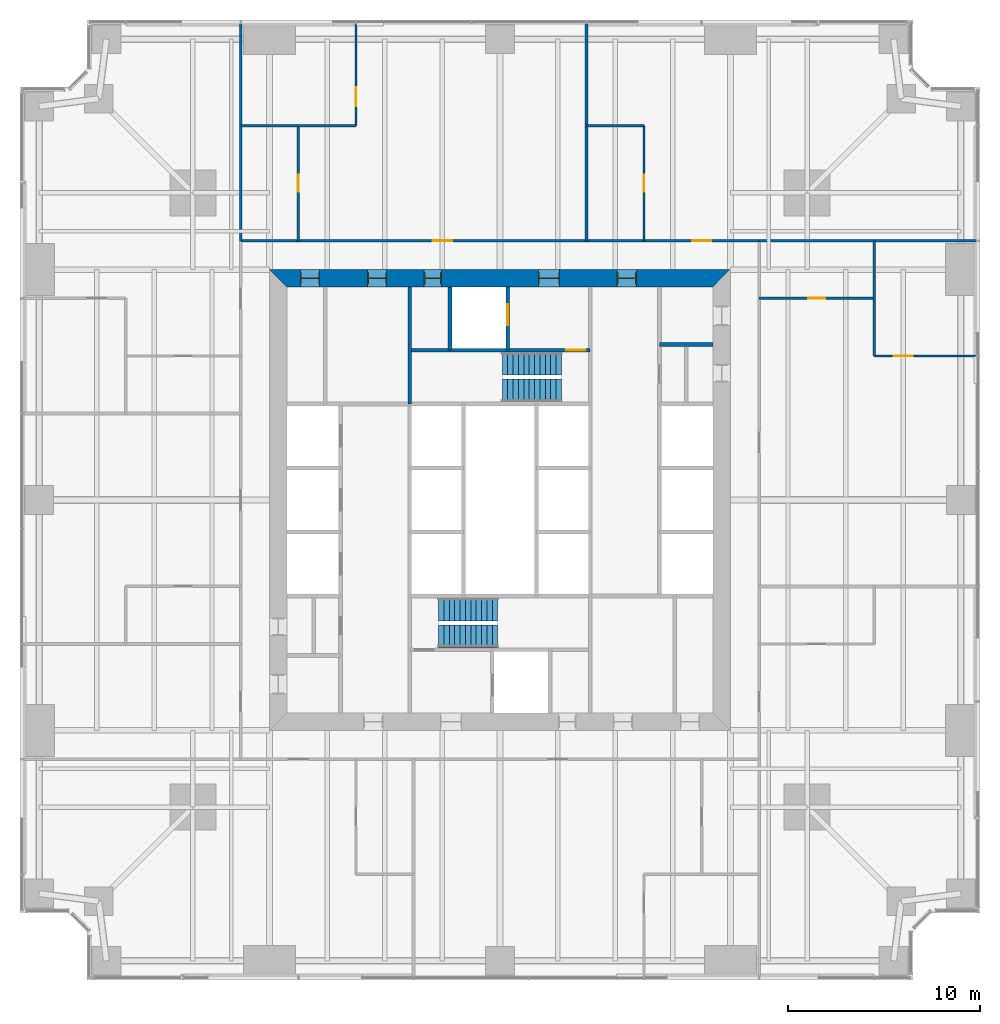
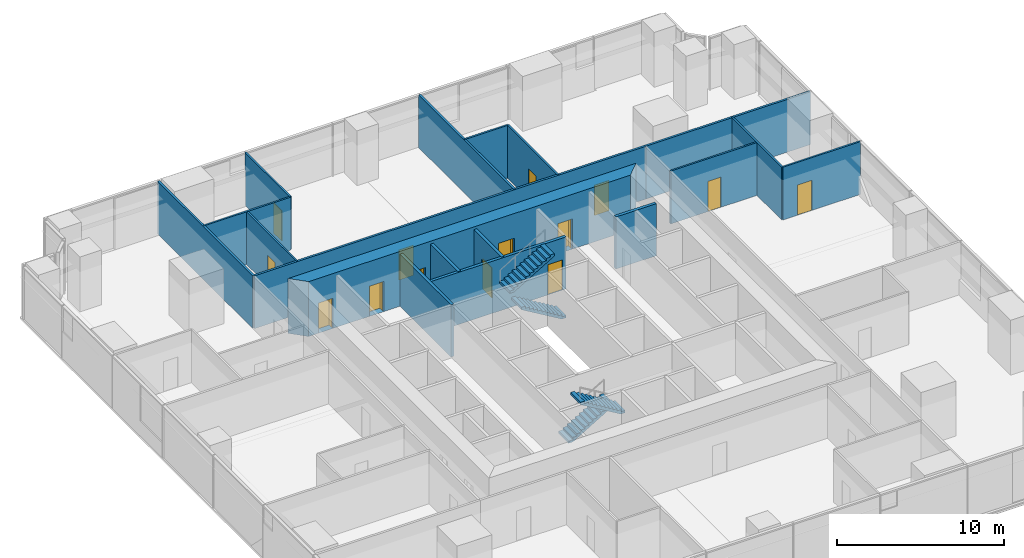
# One storey, part 11 of 15: 18 walls, 14 doors, 4 stair flights, 14 openings, 2 elements without a shape of their own.
"""IFC4 building model written with IfcOpenShell, lengths in metres."""

import ifcopenshell
import ifcopenshell.guid

model = None  # the IFC model being written
_history = None  # IfcOwnerHistory: only IFC2X3 demands one
_inside = {}  # id of a spatial element -> (the spatial element, [elements in it])
_under = {}  # id of a project, library or spatial element -> (it, [spatial elements below it])
_declared = {}  # id of a project -> (the project, [libraries it declares])
_typed = {}  # id of a type object -> (the type object, [elements of that type])
_made_of = {}  # id of a material, layer set ... -> (it, [elements and type objects made of it])


def new_model(schema):
    """Start an empty IFC model of exactly this schema.

    Asked for "IFC4X3", IfcOpenShell would pick the latest addendum, in which some entities
    have other attributes; the version numbers below select the first issue.
    IFC2X3 requires an IfcOwnerHistory on every rooted entity: one is made here for all.
    """
    global model, _history
    if schema == "IFC4X3":
        model = ifcopenshell.file(schema_version=(4, 3, 0, 0))
    else:
        model = ifcopenshell.file(schema=schema)
    _inside.clear()
    _under.clear()
    _declared.clear()
    _typed.clear()
    _made_of.clear()
    _history = None
    if model.schema == "IFC2X3":
        org = make("IfcOrganization", Name="unknown")
        user = make(
            "IfcPersonAndOrganization",
            ThePerson=make("IfcPerson", FamilyName="unknown"),
            TheOrganization=org,
        )
        app = make(
            "IfcApplication",
            ApplicationDeveloper=org,
            Version="unknown",
            ApplicationFullName="unknown",
            ApplicationIdentifier="unknown",
        )
        _history = make(
            "IfcOwnerHistory",
            OwningUser=user,
            OwningApplication=app,
            ChangeAction="ADDED",
            CreationDate=0,
        )
    return model


def make(cls, **values):
    """One entity of the class cls with the attributes given. An attribute that is None is left unset."""
    return model.create_entity(
        cls, **{name: value for name, value in values.items() if value is not None}
    )


def rooted(cls, **values):
    """An entity with a GlobalId (a new one), such as an element, a storey or a relation."""
    return make(cls, GlobalId=ifcopenshell.guid.new(), OwnerHistory=_history, **values)


def si_unit(unit_type, name, prefix=None):
    """IfcSIUnit, for example si_unit("LENGTHUNIT", "METRE", prefix="MILLI")."""
    return make("IfcSIUnit", UnitType=unit_type, Prefix=prefix, Name=name)


def assignment(units):
    """IfcUnitAssignment: the units of a project."""
    return None if units is None else make("IfcUnitAssignment", Units=units)


def point(xyz):
    """IfcCartesianPoint."""
    return None if xyz is None else make("IfcCartesianPoint", Coordinates=xyz)


def direction(xyz):
    """IfcDirection."""
    return None if xyz is None else make("IfcDirection", DirectionRatios=xyz)


def frame(location, z_axis=None, x_axis=None):
    """IfcAxis2Placement3D, a coordinate frame: its origin and axes. An axis left out is left unset."""
    return make(
        "IfcAxis2Placement3D",
        Location=point(location),
        Axis=direction(z_axis),
        RefDirection=direction(x_axis),
    )


def frame_2d(location, x_axis=None):
    """IfcAxis2Placement2D, a coordinate frame in the plane: its origin and x axis."""
    return make(
        "IfcAxis2Placement2D", Location=point(location), RefDirection=direction(x_axis)
    )


def origin():
    """The frame at (0, 0, 0) with its axes left unset."""
    return frame((0.0, 0.0, 0.0))


def place(relative_to, where):
    """IfcLocalPlacement: puts the frame where relative to a parent placement (None: the world)."""
    return make(
        "IfcLocalPlacement", PlacementRelTo=relative_to, RelativePlacement=where
    )


def context(
    kind, dimensions, precision=None, world=None, true_north=None, identifier=None
):
    """IfcGeometricRepresentationContext, for example the 3D "Model" context."""
    return make(
        "IfcGeometricRepresentationContext",
        ContextIdentifier=identifier,
        ContextType=kind,
        CoordinateSpaceDimension=dimensions,
        Precision=precision,
        WorldCoordinateSystem=world,
        TrueNorth=true_north,
    )


def subcontext(parent, identifier, kind, view, scale=None):
    """IfcGeometricRepresentationSubContext, for example "Body" below "Model"."""
    return make(
        "IfcGeometricRepresentationSubContext",
        ContextIdentifier=identifier,
        ContextType=kind,
        ParentContext=parent,
        TargetScale=scale,
        TargetView=view,
    )


def project(units=None, contexts=None):
    """IfcProject with its units and contexts."""
    return rooted(
        "IfcProject",
        Name="project",
        RepresentationContexts=contexts,
        UnitsInContext=assignment(units),
    )


def spatial(cls, under=None, at=None, **own):
    """A site, building, storey or space (cls), placed at a placement, below another one or the project."""
    s = rooted(cls, ObjectPlacement=at, **own)
    if under is not None:
        _under.setdefault(under.id(), (under, []))[1].append(s)
    return s


def polyline(points):
    """IfcPolyline through the points."""
    return make("IfcPolyline", Points=[point(p) for p in points])


def profile(cls, at=None, kind="AREA", **sizes):
    """A parametric profile (cls). Its sizes go by their IFC names, for example OverallWidth=200.0."""
    return make(cls, ProfileType=kind, Position=at, **sizes)


def rectangle(**sizes):
    """IfcRectangleProfileDef."""
    return profile("IfcRectangleProfileDef", **sizes)


def outline(outer, holes=None, kind="AREA"):
    """IfcArbitraryClosedProfileDef: a profile drawn as a closed curve; with holes, ...WithVoids."""
    if holes is None:
        return make("IfcArbitraryClosedProfileDef", ProfileType=kind, OuterCurve=outer)
    return make(
        "IfcArbitraryProfileDefWithVoids",
        ProfileType=kind,
        OuterCurve=outer,
        InnerCurves=holes,
    )


def extrude(swept, where, along, depth):
    """IfcExtrudedAreaSolid: the profile swept, set in the frame where, extruded along a direction by depth."""
    return make(
        "IfcExtrudedAreaSolid",
        SweptArea=swept,
        Position=where,
        ExtrudedDirection=direction(along),
        Depth=depth,
    )


def shape(context_of_items, identifier, shape_type, items):
    """IfcShapeRepresentation: the items that make up one representation, for example the "Body"."""
    return make(
        "IfcShapeRepresentation",
        ContextOfItems=context_of_items,
        RepresentationIdentifier=identifier,
        RepresentationType=shape_type,
        Items=items,
    )


def material(Name=None, Category=None):
    """IfcMaterial."""
    return make("IfcMaterial", Name=Name, Category=Category)


def layer(
    of_material, thickness, ventilated=None, Name=None, Category=None, Priority=None
):
    """IfcMaterialLayer: one layer of a wall or slab, of a material (None: an air gap)."""
    return make(
        "IfcMaterialLayer",
        Material=of_material,
        LayerThickness=thickness,
        IsVentilated=ventilated,
        Name=Name,
        Category=Category,
        Priority=Priority,
    )


def layer_set(layers, Name=None):
    """IfcMaterialLayerSet."""
    return make("IfcMaterialLayerSet", MaterialLayers=layers, LayerSetName=Name)


def made_of(thing, what):
    """Note that an element or type object is made of a material, layer set ...; save() writes the relation."""
    if what is not None:
        _made_of.setdefault(what.id(), (what, []))[1].append(thing)
    return thing


def type_object(cls, material=None, **own):
    """A type object (cls), such as IfcWallType, which elements share."""
    return made_of(rooted(cls, **own), material)


def element(
    cls,
    number,
    at=None,
    inside=None,
    cuts=None,
    type_object=None,
    material=None,
    context=None,
    identifier="Body",
    shape_type=None,
    held_by="IfcProductDefinitionShape",
    body=None,
    shapes=None,
    **own,
):
    """One element of the class cls, such as IfcWall. Its Tag is "e" and its number.

    at: its placement. inside: the storey or other place that contains it. cuts: it is an
    opening in that element (IfcRelVoidsElement). A single representation is given by context,
    identifier, shape_type and body (its items); several are given by shapes. held_by: the class
    of the entity that holds the representations. save() writes the other relations.
    """
    e = rooted(cls, Tag="e%d" % number, ObjectPlacement=at, **own)
    if body is not None:
        shapes = [shape(context, identifier, shape_type, body)]
    if shapes is not None:
        e.Representation = make(held_by, Representations=shapes)
    if inside is not None:
        _inside.setdefault(inside.id(), (inside, []))[1].append(e)
    if cuts is not None:
        rooted(
            "IfcRelVoidsElement", RelatingBuildingElement=cuts, RelatedOpeningElement=e
        )
    if type_object is not None:
        _typed.setdefault(type_object.id(), (type_object, []))[1].append(e)
    return made_of(e, material)


def fill(opening, filler):
    """IfcRelFillsElement: the door or window that sits in an opening."""
    return rooted(
        "IfcRelFillsElement",
        RelatingOpeningElement=opening,
        RelatedBuildingElement=filler,
    )


def aggregate(whole, parts):
    """IfcRelAggregates: a whole, such as a stair, and the parts it consists of."""
    return rooted("IfcRelAggregates", RelatingObject=whole, RelatedObjects=parts)


def save(model, path):
    """Write the relations noted so far, then the file.

    IfcRelAggregates (storeys below a building ...), IfcRelContainedInSpatialStructure (elements
    in a storey), IfcRelDefinesByType, IfcRelAssociatesMaterial and IfcRelDeclares: one each for
    every whole, place, type object, material and project.
    """
    for whole, parts in _under.values():
        aggregate(whole, parts)
    for where, things in _inside.values():
        rooted(
            "IfcRelContainedInSpatialStructure",
            RelatedElements=things,
            RelatingStructure=where,
        )
    for kind, things in _typed.values():
        rooted("IfcRelDefinesByType", RelatedObjects=things, RelatingType=kind)
    for what, things in _made_of.values():
        rooted("IfcRelAssociatesMaterial", RelatedObjects=things, RelatingMaterial=what)
    for by, libraries in _declared.values():
        rooted("IfcRelDeclares", RelatingContext=by, RelatedDefinitions=libraries)
    model.write(path)


model = new_model("IFC4")

# Units and contexts
model_context = context("Model", 3, precision=1e-05, world=origin(), true_north=direction((0.0, 1.0)))
body_context = subcontext(model_context, "Body", "Model", "MODEL_VIEW")
ifc_project = project(units=[si_unit("LENGTHUNIT", "METRE"), si_unit("AREAUNIT", "SQUARE_METRE"), si_unit("VOLUMEUNIT", "CUBIC_METRE"), si_unit("PLANEANGLEUNIT", "RADIAN"), si_unit("MASSUNIT", "GRAM", prefix="KILO")], contexts=[model_context])

# Site, building, storey
site_placement = place(None, origin())
site = spatial("IfcSite", under=ifc_project, at=site_placement, CompositionType="ELEMENT")
building_placement = place(site_placement, origin())
building = spatial("IfcBuilding", under=site, at=building_placement, Name="Fenwick Lantern Interchange", CompositionType="ELEMENT")
storey_placement = place(building_placement, frame((0.0, 0.0, 51.0)))
storey = spatial("IfcBuildingStorey", under=building, at=storey_placement, Name="L11", CompositionType="ELEMENT", Elevation=51.0)

# Wall, opening, door
ifc_material_1 = material(Name="Concrete masonry ASTM C90 Grade N", Category="masonry")
ifc_layer_1 = layer(ifc_material_1, 0.199951171875)
ifc_layer_set_1 = layer_set([ifc_layer_1], Name="Concrete masonry ASTM C90 Grade N")
wall_type_1 = type_object("IfcWallType", Name="CORE PARTITION 200", PredefinedType="PARTITIONING", material=ifc_layer_set_1)
wall_1_placement = place(storey_placement, frame((25.39990234375, 36.10009765625, 0.0), z_axis=(0.0, 0.0, 1.0), x_axis=(0.0, -1.0, 0.0)))
wall_1 = element("IfcWall", 1, at=wall_1_placement, inside=storey, type_object=wall_type_1, Name="L11/W/COREN/h1", PredefinedType="PARTITIONING", context=body_context, shape_type="SweptSolid", body=[
    extrude(rectangle(XDim=3.300048828125, YDim=0.199951171875, at=frame_2d((1.64990234375, 0.0))), origin(), (0.0, 0.0, 1.0), 3.800048828125),
])
opening_1_placement = place(wall_1_placement, frame((0.89990234375, 0.0, 0.0)))
opening_1 = element("IfcOpeningElement", 2, at=opening_1_placement, cuts=wall_1, Name="Opening LD-FL2", PredefinedType="OPENING", context=body_context, shape_type="SweptSolid", body=[
    extrude(rectangle(XDim=1.10009765625, YDim=2.199951171875, at=frame_2d((0.550048828125, 1.10009765625))), frame((0.0, 0.10986328125, 0.0), z_axis=(0.0, -1.0, 0.0), x_axis=(1.0, 0.0, 0.0)), (0.0, 0.0, 1.0), 0.219970703125),
])
ifc_material_2 = material(Name="Steel door and frame", Category="steel")
door_type_1 = type_object("IfcDoorType", Name="LIFT LANDING DOOR 1100 X 2200", OperationType="DOUBLE_DOOR_SLIDING", PredefinedType="DOOR", material=ifc_material_2)
door_1_placement = place(opening_1_placement, origin())
door_1 = element("IfcDoor", 3, at=door_1_placement, inside=storey, type_object=door_type_1, Name="Lift landing door FL2", OperationType="DOUBLE_DOOR_SLIDING", OverallHeight=2.199951171875, OverallWidth=1.10009765625, PredefinedType="DOOR", context=body_context, shape_type="SweptSolid", body=[
    extrude(rectangle(XDim=1.10009765625, YDim=2.199951171875, at=frame_2d((0.550048828125, 1.10009765625))), frame((0.0, 0.02490234375, 0.0), z_axis=(0.0, -1.0, 0.0), x_axis=(1.0, 0.0, 0.0)), (0.0, 0.0, 1.0), 0.050048828125),
])
fill(opening_1, door_1)

# Walls
wall_2_placement = place(storey_placement, frame((22.39990234375, 36.10009765625, 0.0), z_axis=(0.0, 0.0, 1.0), x_axis=(0.0, -1.0, 0.0)))
element("IfcWall", 4, at=wall_2_placement, inside=storey, type_object=wall_type_1, Name="L11/W/COREN/h2", PredefinedType="PARTITIONING", context=body_context, shape_type="SweptSolid", body=[
    extrude(rectangle(XDim=3.300048828125, YDim=0.199951171875, at=frame_2d((1.64990234375, 0.0))), origin(), (0.0, 0.0, 1.0), 3.800048828125),
])
wall_3_placement = place(storey_placement, frame((36.10009765625, 33.10009765625, 0.0), z_axis=(0.0, 0.0, 1.0), x_axis=(-1.0, 0.0, 0.0)))
element("IfcWall", 5, at=wall_3_placement, inside=storey, type_object=wall_type_1, Name="L11/W/COREN/p1", PredefinedType="PARTITIONING", context=body_context, shape_type="SweptSolid", body=[
    extrude(rectangle(XDim=2.800048828125, YDim=0.199951171875, at=frame_2d((1.39990234375, 0.0))), origin(), (0.0, 0.0, 1.0), 3.800048828125),
])

# Wall, openings, doors
ifc_material_3 = material(Name="Concrete f'c 70 MPa", Category="concrete")
ifc_layer_2 = layer(ifc_material_3, 0.89990234375)
ifc_layer_set_2 = layer_set([ifc_layer_2], Name="CORE WALL 900")
wall_type_2 = type_object("IfcWallType", Name="CORE WALL 900", PredefinedType="SHEAR", material=ifc_layer_set_2)
wall_4_placement = place(storey_placement, frame((37.0, 36.550048828125, 0.0), z_axis=(0.0, 0.0, 1.0), x_axis=(-1.0, 0.0, 0.0)))
wall_4 = element("IfcWall", 6, at=wall_4_placement, inside=storey, type_object=wall_type_2, Name="L11/CORE/N", PredefinedType="SHEAR", context=body_context, shape_type="SweptSolid", body=[
    extrude(outline(polyline([(0.0, -0.449951171875), (24.0, -0.449951171875), (23.10009765625, 0.449951171875), (0.89990234375, 0.449951171875), (0.0, -0.449951171875)])), origin(), (0.0, 0.0, 1.0), 4.0),
])
opening_2_placement = place(wall_4_placement, frame((4.89990234375, 0.0, 0.0)))
opening_2 = element("IfcOpeningElement", 7, at=opening_2_placement, cuts=wall_4, Name="Opening L11-D010", PredefinedType="OPENING", context=body_context, shape_type="SweptSolid", body=[
    extrude(rectangle(XDim=1.0, YDim=2.199951171875, at=frame_2d((0.5, 1.10009765625))), frame((0.0, 0.4599609375, 0.0), z_axis=(0.0, -1.0, 0.0), x_axis=(1.0, 0.0, 0.0)), (0.0, 0.0, 1.0), 0.919921875),
])
opening_3_placement = place(wall_4_placement, frame((8.89990234375, 0.0, 0.0)))
opening_3 = element("IfcOpeningElement", 8, at=opening_3_placement, cuts=wall_4, Name="Opening L11-D011", PredefinedType="OPENING", context=body_context, shape_type="SweptSolid", body=[
    extrude(rectangle(XDim=1.10009765625, YDim=2.199951171875, at=frame_2d((0.550048828125, 1.10009765625))), frame((0.0, 0.4599609375, 0.0), z_axis=(0.0, -1.0, 0.0), x_axis=(1.0, 0.0, 0.0)), (0.0, 0.0, 1.0), 0.919921875),
])
opening_4_placement = place(wall_4_placement, frame((15.050048828125, 0.0, 0.0)))
opening_4 = element("IfcOpeningElement", 9, at=opening_4_placement, cuts=wall_4, Name="Opening L11-D013", PredefinedType="OPENING", context=body_context, shape_type="SweptSolid", body=[
    extrude(rectangle(XDim=0.89990234375, YDim=2.199951171875, at=frame_2d((0.449951171875, 1.10009765625))), frame((0.0, 0.4599609375, 0.0), z_axis=(0.0, -1.0, 0.0), x_axis=(1.0, 0.0, 0.0)), (0.0, 0.0, 1.0), 0.919921875),
])
opening_5_placement = place(wall_4_placement, frame((17.89990234375, 0.0, 0.0)))
opening_5 = element("IfcOpeningElement", 10, at=opening_5_placement, cuts=wall_4, Name="Opening L11-D014", PredefinedType="OPENING", context=body_context, shape_type="SweptSolid", body=[
    extrude(rectangle(XDim=1.0, YDim=2.199951171875, at=frame_2d((0.5, 1.10009765625))), frame((0.0, 0.4599609375, 0.0), z_axis=(0.0, -1.0, 0.0), x_axis=(1.0, 0.0, 0.0)), (0.0, 0.0, 1.0), 0.919921875),
])
opening_6_placement = place(wall_4_placement, frame((21.39990234375, 0.0, 0.0)))
opening_6 = element("IfcOpeningElement", 11, at=opening_6_placement, cuts=wall_4, Name="Opening L11-D015", PredefinedType="OPENING", context=body_context, shape_type="SweptSolid", body=[
    extrude(rectangle(XDim=1.0, YDim=2.199951171875, at=frame_2d((0.5, 1.10009765625))), frame((0.0, 0.4599609375, 0.0), z_axis=(0.0, -1.0, 0.0), x_axis=(1.0, 0.0, 0.0)), (0.0, 0.0, 1.0), 0.919921875),
])
door_type_2 = type_object("IfcDoorType", Name="CORE LOBBY DOOR 1000 X 2200", OperationType="SINGLE_SWING_LEFT", PredefinedType="DOOR", material=ifc_material_2)
door_2_placement = place(opening_2_placement, origin())
door_2 = element("IfcDoor", 12, at=door_2_placement, inside=storey, type_object=door_type_2, Name="Core lobby door", OperationType="SINGLE_SWING_LEFT", OverallHeight=2.199951171875, OverallWidth=1.0, PredefinedType="DOOR", context=body_context, shape_type="SweptSolid", body=[
    extrude(rectangle(XDim=1.0, YDim=2.199951171875, at=frame_2d((0.5, 1.10009765625))), frame((0.0, 0.02490234375, 0.0), z_axis=(0.0, -1.0, 0.0), x_axis=(1.0, 0.0, 0.0)), (0.0, 0.0, 1.0), 0.050048828125),
    extrude(outline(polyline([(0.0, 0.0), (0.0400390625, 0.0), (0.0400390625, 2.159912109375), (0.9599609375, 2.159912109375), (0.9599609375, 0.0), (1.0, 0.0), (1.0, 2.199951171875), (0.0, 2.199951171875), (0.0, 0.0)])), frame((0.0, 0.300048828125, 0.0), z_axis=(0.0, -1.0, 0.0), x_axis=(1.0, 0.0, 0.0)), (0.0, 0.0, 1.0), 0.60009765625),
])
fill(opening_2, door_2)
door_type_3 = type_object("IfcDoorType", Name="FIRE LOBBY DOOR 1100 X 2200", OperationType="SINGLE_SWING_LEFT", PredefinedType="DOOR", material=ifc_material_2)
door_3_placement = place(opening_3_placement, origin())
door_3 = element("IfcDoor", 13, at=door_3_placement, inside=storey, type_object=door_type_3, Name="Fire lobby door", OperationType="SINGLE_SWING_LEFT", OverallHeight=2.199951171875, OverallWidth=1.10009765625, PredefinedType="DOOR", context=body_context, shape_type="SweptSolid", body=[
    extrude(rectangle(XDim=1.10009765625, YDim=2.199951171875, at=frame_2d((0.550048828125, 1.10009765625))), frame((0.0, 0.02490234375, 0.0), z_axis=(0.0, -1.0, 0.0), x_axis=(1.0, 0.0, 0.0)), (0.0, 0.0, 1.0), 0.050048828125),
    extrude(outline(polyline([(0.0, 0.0), (0.0400390625, 0.0), (0.0400390625, 2.159912109375), (1.06005859375, 2.159912109375), (1.06005859375, 0.0), (1.10009765625, 0.0), (1.10009765625, 2.199951171875), (0.0, 2.199951171875), (0.0, 0.0)])), frame((0.0, 0.300048828125, 0.0), z_axis=(0.0, -1.0, 0.0), x_axis=(1.0, 0.0, 0.0)), (0.0, 0.0, 1.0), 0.60009765625),
])
fill(opening_3, door_3)
door_type_4 = type_object("IfcDoorType", Name="SERVICE DOOR 900 X 2200", OperationType="SINGLE_SWING_LEFT", PredefinedType="DOOR", material=ifc_material_2)
door_4_placement = place(opening_4_placement, origin())
door_4 = element("IfcDoor", 14, at=door_4_placement, inside=storey, type_object=door_type_4, Name="Service door", OperationType="SINGLE_SWING_LEFT", OverallHeight=2.199951171875, OverallWidth=0.89990234375, PredefinedType="DOOR", context=body_context, shape_type="SweptSolid", body=[
    extrude(rectangle(XDim=0.89990234375, YDim=2.199951171875, at=frame_2d((0.449951171875, 1.10009765625))), frame((0.0, 0.02490234375, 0.0), z_axis=(0.0, -1.0, 0.0), x_axis=(1.0, 0.0, 0.0)), (0.0, 0.0, 1.0), 0.050048828125),
    extrude(outline(polyline([(0.0, 0.0), (0.0400390625, 0.0), (0.0400390625, 2.159912109375), (0.85986328125, 2.159912109375), (0.85986328125, 0.0), (0.89990234375, 0.0), (0.89990234375, 2.199951171875), (0.0, 2.199951171875), (0.0, 0.0)])), frame((0.0, 0.300048828125, 0.0), z_axis=(0.0, -1.0, 0.0), x_axis=(1.0, 0.0, 0.0)), (0.0, 0.0, 1.0), 0.60009765625),
])
fill(opening_4, door_4)
ifc_material_4 = material(Name="Hardwood door and steel frame", Category="steel")
door_type_5 = type_object("IfcDoorType", Name="WC DOOR 1000 X 2200", OperationType="SINGLE_SWING_LEFT", PredefinedType="DOOR", material=ifc_material_4)
door_5_placement = place(opening_5_placement, origin())
door_5 = element("IfcDoor", 15, at=door_5_placement, inside=storey, type_object=door_type_5, Name="Wc door", OperationType="SINGLE_SWING_LEFT", OverallHeight=2.199951171875, OverallWidth=1.0, PredefinedType="DOOR", context=body_context, shape_type="SweptSolid", body=[
    extrude(rectangle(XDim=1.0, YDim=2.199951171875, at=frame_2d((0.5, 1.10009765625))), frame((0.0, 0.02490234375, 0.0), z_axis=(0.0, -1.0, 0.0), x_axis=(1.0, 0.0, 0.0)), (0.0, 0.0, 1.0), 0.050048828125),
    extrude(outline(polyline([(0.0, 0.0), (0.0400390625, 0.0), (0.0400390625, 2.159912109375), (0.9599609375, 2.159912109375), (0.9599609375, 0.0), (1.0, 0.0), (1.0, 2.199951171875), (0.0, 2.199951171875), (0.0, 0.0)])), frame((0.0, 0.300048828125, 0.0), z_axis=(0.0, -1.0, 0.0), x_axis=(1.0, 0.0, 0.0)), (0.0, 0.0, 1.0), 0.60009765625),
])
fill(opening_5, door_5)
door_6_placement = place(opening_6_placement, origin())
door_6 = element("IfcDoor", 16, at=door_6_placement, inside=storey, type_object=door_type_5, Name="Wc door", OperationType="SINGLE_SWING_LEFT", OverallHeight=2.199951171875, OverallWidth=1.0, PredefinedType="DOOR", context=body_context, shape_type="SweptSolid", body=[
    extrude(rectangle(XDim=1.0, YDim=2.199951171875, at=frame_2d((0.5, 1.10009765625))), frame((0.0, 0.02490234375, 0.0), z_axis=(0.0, -1.0, 0.0), x_axis=(1.0, 0.0, 0.0)), (0.0, 0.0, 1.0), 0.050048828125),
    extrude(outline(polyline([(0.0, 0.0), (0.0400390625, 0.0), (0.0400390625, 2.159912109375), (0.9599609375, 2.159912109375), (0.9599609375, 0.0), (1.0, 0.0), (1.0, 2.199951171875), (0.0, 2.199951171875), (0.0, 0.0)])), frame((0.0, 0.300048828125, 0.0), z_axis=(0.0, -1.0, 0.0), x_axis=(1.0, 0.0, 0.0)), (0.0, 0.0, 1.0), 0.60009765625),
])
fill(opening_6, door_6)

ifc_material_5 = material(Name="Gypsum board on steel studs, 1 hour", Category="steel")
ifc_layer_3 = layer(ifc_material_5, 0.14990234375)
ifc_layer_set_3 = layer_set([ifc_layer_3], Name="CORRIDOR WALL 150")
wall_type_3 = type_object("IfcWallType", Name="CORRIDOR WALL 150", PredefinedType="PARTITIONING", material=ifc_layer_set_3)
wall_5_placement = place(storey_placement, frame((38.5, 38.5, 0.0), z_axis=(0.0, 0.0, 1.0), x_axis=(-1.0, 0.0, 0.0)))
wall_5 = element("IfcWall", 17, at=wall_5_placement, inside=storey, type_object=wall_type_3, Name="L11/W/OFF/N/CW", PredefinedType="PARTITIONING", context=body_context, shape_type="SweptSolid", body=[
    extrude(rectangle(XDim=27.0, YDim=0.14990234375, at=frame_2d((13.5, 0.0))), origin(), (0.0, 0.0, 1.0), 3.85009765625),
])
opening_7_placement = place(wall_5_placement, frame((2.5, 0.0, 0.0)))
opening_7 = element("IfcOpeningElement", 18, at=opening_7_placement, cuts=wall_5, Name="Opening L11-D029", PredefinedType="OPENING", context=body_context, shape_type="SweptSolid", body=[
    extrude(rectangle(XDim=1.0, YDim=2.199951171875, at=frame_2d((0.5, 1.10009765625))), frame((0.0, 0.0849609375, 0.0), z_axis=(0.0, -1.0, 0.0), x_axis=(1.0, 0.0, 0.0)), (0.0, 0.0, 1.0), 0.169921875),
])
opening_8_placement = place(wall_5_placement, frame((16.0, 0.0, 0.0)))
opening_8 = element("IfcOpeningElement", 19, at=opening_8_placement, cuts=wall_5, Name="Opening L11-D031", PredefinedType="OPENING", context=body_context, shape_type="SweptSolid", body=[
    extrude(rectangle(XDim=1.0, YDim=2.199951171875, at=frame_2d((0.5, 1.10009765625))), frame((0.0, 0.0849609375, 0.0), z_axis=(0.0, -1.0, 0.0), x_axis=(1.0, 0.0, 0.0)), (0.0, 0.0, 1.0), 0.169921875),
])
door_type_6 = type_object("IfcDoorType", Name="SUITE ENTRANCE DOOR 1000 X 2200", OperationType="SINGLE_SWING_LEFT", PredefinedType="DOOR", material=ifc_material_2)
door_7_placement = place(opening_7_placement, frame((1.0, 0.0, 0.0), z_axis=(0.0, 0.0, 1.0), x_axis=(-1.0, 0.0, 0.0)))
door_7 = element("IfcDoor", 20, at=door_7_placement, inside=storey, type_object=door_type_6, Name="Suite entrance door", OperationType="SINGLE_SWING_LEFT", OverallHeight=2.199951171875, OverallWidth=1.0, PredefinedType="DOOR", context=body_context, shape_type="SweptSolid", body=[
    extrude(rectangle(XDim=1.0, YDim=2.199951171875, at=frame_2d((0.5, 1.10009765625))), frame((0.0, 0.02490234375, 0.0), z_axis=(0.0, -1.0, 0.0), x_axis=(1.0, 0.0, 0.0)), (0.0, 0.0, 1.0), 0.050048828125),
])
fill(opening_7, door_7)
door_8_placement = place(opening_8_placement, frame((1.0, 0.0, 0.0), z_axis=(0.0, 0.0, 1.0), x_axis=(-1.0, 0.0, 0.0)))
door_8 = element("IfcDoor", 21, at=door_8_placement, inside=storey, type_object=door_type_6, Name="Suite entrance door", OperationType="SINGLE_SWING_RIGHT", OverallHeight=2.199951171875, OverallWidth=1.0, PredefinedType="DOOR", context=body_context, shape_type="SweptSolid", body=[
    extrude(rectangle(XDim=1.0, YDim=2.199951171875, at=frame_2d((0.5, 1.10009765625))), frame((0.0, 0.02490234375, 0.0), z_axis=(0.0, -1.0, 0.0), x_axis=(1.0, 0.0, 0.0)), (0.0, 0.0, 1.0), 0.050048828125),
])
fill(opening_8, door_8)

# Wall, opening, door
ifc_material_6 = material(Name="Gypsum board on steel studs, acoustic", Category="steel")
ifc_layer_4 = layer(ifc_material_6, 0.125)
ifc_layer_set_4 = layer_set([ifc_layer_4], Name="OFFICE PARTITION 125")
wall_type_4 = type_object("IfcWallType", Name="OFFICE PARTITION 125", PredefinedType="PARTITIONING", material=ifc_layer_set_4)
wall_6_placement = place(storey_placement, frame((49.85009765625, 32.5, 0.0), z_axis=(0.0, 0.0, 1.0), x_axis=(-1.0, 0.0, 0.0)))
wall_6 = element("IfcWall", 22, at=wall_6_placement, inside=storey, type_object=wall_type_4, Name="L11/W/OFF/E/X325-1", PredefinedType="PARTITIONING", context=body_context, shape_type="SweptSolid", body=[
    extrude(rectangle(XDim=5.35009765625, YDim=0.125, at=frame_2d((2.675048828125, 0.0))), origin(), (0.0, 0.0, 1.0), 3.85009765625),
])
opening_9_placement = place(wall_6_placement, frame((3.35009765625, 0.0, 0.0)))
opening_9 = element("IfcOpeningElement", 23, at=opening_9_placement, cuts=wall_6, Name="Opening L11-D027", PredefinedType="OPENING", context=body_context, shape_type="SweptSolid", body=[
    extrude(rectangle(XDim=1.0, YDim=2.199951171875, at=frame_2d((0.5, 1.10009765625))), frame((0.0, 0.072509765625, 0.0), z_axis=(0.0, -1.0, 0.0), x_axis=(1.0, 0.0, 0.0)), (0.0, 0.0, 1.0), 0.14501953125),
])
door_type_7 = type_object("IfcDoorType", Name="MEETING ROOM DOOR 1000 X 2200", OperationType="SINGLE_SWING_LEFT", PredefinedType="DOOR", material=ifc_material_4)
door_9_placement = place(opening_9_placement, frame((1.0, 0.0, 0.0), z_axis=(0.0, 0.0, 1.0), x_axis=(-1.0, 0.0, 0.0)))
door_9 = element("IfcDoor", 24, at=door_9_placement, inside=storey, type_object=door_type_7, Name="Meeting room door", OperationType="SINGLE_SWING_LEFT", OverallHeight=2.199951171875, OverallWidth=1.0, PredefinedType="DOOR", context=body_context, shape_type="SweptSolid", body=[
    extrude(rectangle(XDim=1.0, YDim=2.199951171875, at=frame_2d((0.5, 1.10009765625))), frame((0.0, 0.02490234375, 0.0), z_axis=(0.0, -1.0, 0.0), x_axis=(1.0, 0.0, 0.0)), (0.0, 0.0, 1.0), 0.050048828125),
])
fill(opening_9, door_9)

wall_7_placement = place(storey_placement, frame((44.5, 35.5, 0.0), z_axis=(0.0, 0.0, 1.0), x_axis=(-1.0, 0.0, 0.0)))
wall_7 = element("IfcWall", 25, at=wall_7_placement, inside=storey, type_object=wall_type_4, Name="L11/W/OFF/E/X355-1", PredefinedType="PARTITIONING", context=body_context, shape_type="SweptSolid", body=[
    extrude(rectangle(XDim=6.0, YDim=0.125, at=frame_2d((3.0, 0.0))), origin(), (0.0, 0.0, 1.0), 3.85009765625),
])
opening_10_placement = place(wall_7_placement, frame((2.550048828125, 0.0, 0.0)))
opening_10 = element("IfcOpeningElement", 26, at=opening_10_placement, cuts=wall_7, Name="Opening L11-D028", PredefinedType="OPENING", context=body_context, shape_type="SweptSolid", body=[
    extrude(rectangle(XDim=0.89990234375, YDim=2.199951171875, at=frame_2d((0.449951171875, 1.10009765625))), frame((0.0, 0.072509765625, 0.0), z_axis=(0.0, -1.0, 0.0), x_axis=(1.0, 0.0, 0.0)), (0.0, 0.0, 1.0), 0.14501953125),
])
door_type_8 = type_object("IfcDoorType", Name="OFFICE DOOR 900 X 2200", OperationType="SINGLE_SWING_LEFT", PredefinedType="DOOR", material=ifc_material_4)
door_10_placement = place(opening_10_placement, frame((0.89990234375, 0.0, 0.0), z_axis=(0.0, 0.0, 1.0), x_axis=(-1.0, 0.0, 0.0)))
door_10 = element("IfcDoor", 27, at=door_10_placement, inside=storey, type_object=door_type_8, Name="Office door", OperationType="SINGLE_SWING_RIGHT", OverallHeight=2.199951171875, OverallWidth=0.89990234375, PredefinedType="DOOR", context=body_context, shape_type="SweptSolid", body=[
    extrude(rectangle(XDim=0.89990234375, YDim=2.199951171875, at=frame_2d((0.449951171875, 1.10009765625))), frame((0.0, 0.02490234375, 0.0), z_axis=(0.0, -1.0, 0.0), x_axis=(1.0, 0.0, 0.0)), (0.0, 0.0, 1.0), 0.050048828125),
])
fill(opening_10, door_10)

# Wall
wall_8_placement = place(storey_placement, frame((44.5, 32.5, 0.0), z_axis=(0.0, 0.0, 1.0), x_axis=(0.0, 1.0, 0.0)))
element("IfcWall", 28, at=wall_8_placement, inside=storey, type_object=wall_type_4, Name="L11/W/OFF/E/Y55-2", PredefinedType="PARTITIONING", context=body_context, shape_type="SweptSolid", body=[
    extrude(rectangle(XDim=6.0, YDim=0.125, at=frame_2d((3.0, 0.0))), origin(), (0.0, 0.0, 1.0), 3.85009765625),
])

# Wall, opening, door
wall_9_placement = place(storey_placement, frame((32.5, 44.5, 0.0), z_axis=(0.0, 0.0, 1.0), x_axis=(0.0, -1.0, 0.0)))
wall_9 = element("IfcWall", 29, at=wall_9_placement, inside=storey, type_object=wall_type_4, Name="L11/W/OFF/N/X175-1", PredefinedType="PARTITIONING", context=body_context, shape_type="SweptSolid", body=[
    extrude(rectangle(XDim=6.0, YDim=0.125, at=frame_2d((3.0, 0.0))), origin(), (0.0, 0.0, 1.0), 3.85009765625),
])
opening_11_placement = place(wall_9_placement, frame((2.550048828125, 0.0, 0.0)))
opening_11 = element("IfcOpeningElement", 30, at=opening_11_placement, cuts=wall_9, Name="Opening L11-D030", PredefinedType="OPENING", context=body_context, shape_type="SweptSolid", body=[
    extrude(rectangle(XDim=0.89990234375, YDim=2.199951171875, at=frame_2d((0.449951171875, 1.10009765625))), frame((0.0, 0.072509765625, 0.0), z_axis=(0.0, -1.0, 0.0), x_axis=(1.0, 0.0, 0.0)), (0.0, 0.0, 1.0), 0.14501953125),
])
door_11_placement = place(opening_11_placement, frame((0.89990234375, 0.0, 0.0), z_axis=(0.0, 0.0, 1.0), x_axis=(-1.0, 0.0, 0.0)))
door_11 = element("IfcDoor", 31, at=door_11_placement, inside=storey, type_object=door_type_8, Name="Office door", OperationType="SINGLE_SWING_RIGHT", OverallHeight=2.199951171875, OverallWidth=0.89990234375, PredefinedType="DOOR", context=body_context, shape_type="SweptSolid", body=[
    extrude(rectangle(XDim=0.89990234375, YDim=2.199951171875, at=frame_2d((0.449951171875, 1.10009765625))), frame((0.0, 0.02490234375, 0.0), z_axis=(0.0, -1.0, 0.0), x_axis=(1.0, 0.0, 0.0)), (0.0, 0.0, 1.0), 0.050048828125),
])
fill(opening_11, door_11)

wall_10_placement = place(storey_placement, frame((17.5, 49.85009765625, 0.0), z_axis=(0.0, 0.0, 1.0), x_axis=(0.0, -1.0, 0.0)))
wall_10 = element("IfcWall", 32, at=wall_10_placement, inside=storey, type_object=wall_type_4, Name="L11/W/OFF/N/X325-1", PredefinedType="PARTITIONING", context=body_context, shape_type="SweptSolid", body=[
    extrude(rectangle(XDim=5.35009765625, YDim=0.125, at=frame_2d((2.675048828125, 0.0))), origin(), (0.0, 0.0, 1.0), 3.85009765625),
])
opening_12_placement = place(wall_10_placement, frame((3.35009765625, 0.0, 0.0)))
opening_12 = element("IfcOpeningElement", 33, at=opening_12_placement, cuts=wall_10, Name="Opening L11-D032", PredefinedType="OPENING", context=body_context, shape_type="SweptSolid", body=[
    extrude(rectangle(XDim=1.0, YDim=2.199951171875, at=frame_2d((0.5, 1.10009765625))), frame((0.0, 0.072509765625, 0.0), z_axis=(0.0, -1.0, 0.0), x_axis=(1.0, 0.0, 0.0)), (0.0, 0.0, 1.0), 0.14501953125),
])
door_12_placement = place(opening_12_placement, frame((1.0, 0.0, 0.0), z_axis=(0.0, 0.0, 1.0), x_axis=(-1.0, 0.0, 0.0)))
door_12 = element("IfcDoor", 34, at=door_12_placement, inside=storey, type_object=door_type_7, Name="Meeting room door", OperationType="SINGLE_SWING_LEFT", OverallHeight=2.199951171875, OverallWidth=1.0, PredefinedType="DOOR", context=body_context, shape_type="SweptSolid", body=[
    extrude(rectangle(XDim=1.0, YDim=2.199951171875, at=frame_2d((0.5, 1.10009765625))), frame((0.0, 0.02490234375, 0.0), z_axis=(0.0, -1.0, 0.0), x_axis=(1.0, 0.0, 0.0)), (0.0, 0.0, 1.0), 0.050048828125),
])
fill(opening_12, door_12)

wall_11_placement = place(storey_placement, frame((14.5, 44.5, 0.0), z_axis=(0.0, 0.0, 1.0), x_axis=(0.0, -1.0, 0.0)))
wall_11 = element("IfcWall", 35, at=wall_11_placement, inside=storey, type_object=wall_type_4, Name="L11/W/OFF/N/X355-1", PredefinedType="PARTITIONING", context=body_context, shape_type="SweptSolid", body=[
    extrude(rectangle(XDim=6.0, YDim=0.125, at=frame_2d((3.0, 0.0))), origin(), (0.0, 0.0, 1.0), 3.85009765625),
])
opening_13_placement = place(wall_11_placement, frame((2.550048828125, 0.0, 0.0)))
opening_13 = element("IfcOpeningElement", 36, at=opening_13_placement, cuts=wall_11, Name="Opening L11-D033", PredefinedType="OPENING", context=body_context, shape_type="SweptSolid", body=[
    extrude(rectangle(XDim=0.89990234375, YDim=2.199951171875, at=frame_2d((0.449951171875, 1.10009765625))), frame((0.0, 0.072509765625, 0.0), z_axis=(0.0, -1.0, 0.0), x_axis=(1.0, 0.0, 0.0)), (0.0, 0.0, 1.0), 0.14501953125),
])
door_13_placement = place(opening_13_placement, frame((0.89990234375, 0.0, 0.0), z_axis=(0.0, 0.0, 1.0), x_axis=(-1.0, 0.0, 0.0)))
door_13 = element("IfcDoor", 37, at=door_13_placement, inside=storey, type_object=door_type_8, Name="Office door", OperationType="SINGLE_SWING_RIGHT", OverallHeight=2.199951171875, OverallWidth=0.89990234375, PredefinedType="DOOR", context=body_context, shape_type="SweptSolid", body=[
    extrude(rectangle(XDim=0.89990234375, YDim=2.199951171875, at=frame_2d((0.449951171875, 1.10009765625))), frame((0.0, 0.02490234375, 0.0), z_axis=(0.0, -1.0, 0.0), x_axis=(1.0, 0.0, 0.0)), (0.0, 0.0, 1.0), 0.050048828125),
])
fill(opening_13, door_13)

# Walls
wall_12_placement = place(storey_placement, frame((32.5, 44.5, 0.0), z_axis=(0.0, 0.0, 1.0), x_axis=(-1.0, 0.0, 0.0)))
element("IfcWall", 38, at=wall_12_placement, inside=storey, type_object=wall_type_4, Name="L11/W/OFF/N/Y55-1", PredefinedType="PARTITIONING", context=body_context, shape_type="SweptSolid", body=[
    extrude(rectangle(XDim=3.0, YDim=0.125, at=frame_2d((1.5, 0.0))), origin(), (0.0, 0.0, 1.0), 3.85009765625),
])
wall_13_placement = place(storey_placement, frame((17.5, 44.5, 0.0), z_axis=(0.0, 0.0, 1.0), x_axis=(-1.0, 0.0, 0.0)))
element("IfcWall", 39, at=wall_13_placement, inside=storey, type_object=wall_type_4, Name="L11/W/OFF/N/Y55-2", PredefinedType="PARTITIONING", context=body_context, shape_type="SweptSolid", body=[
    extrude(rectangle(XDim=6.0, YDim=0.125, at=frame_2d((3.0, 0.0))), origin(), (0.0, 0.0, 1.0), 3.85009765625),
])

# Wall, opening, door
ifc_material_7 = material(Name="Concrete f'c 45 MPa", Category="concrete")
ifc_layer_5 = layer(ifc_material_7, 0.199951171875)
ifc_layer_set_5 = layer_set([ifc_layer_5], Name="STAIR CORE WALL 200")
wall_type_5 = type_object("IfcWallType", Name="STAIR CORE WALL 200", PredefinedType="SOLIDWALL", material=ifc_layer_set_5)
wall_14_placement = place(storey_placement, frame((29.699951171875, 32.800048828125, 0.0), z_axis=(0.0, 0.0, 1.0), x_axis=(-1.0, 0.0, 0.0)))
wall_14 = element("IfcWall", 40, at=wall_14_placement, inside=storey, type_object=wall_type_5, Name="L11/W/COREN/g1", PredefinedType="SOLIDWALL", context=body_context, shape_type="SweptSolid", body=[
    extrude(rectangle(XDim=9.39990234375, YDim=0.199951171875, at=frame_2d((4.699951171875, 0.0))), origin(), (0.0, 0.0, 1.0), 3.800048828125),
])
opening_14_placement = place(wall_14_placement, frame((0.25, 0.0, 0.0)))
opening_14 = element("IfcOpeningElement", 41, at=opening_14_placement, cuts=wall_14, Name="Opening L11-D012", PredefinedType="OPENING", context=body_context, shape_type="SweptSolid", body=[
    extrude(rectangle(XDim=1.0, YDim=2.199951171875, at=frame_2d((0.5, 1.10009765625))), frame((0.0, 0.10986328125, 0.0), z_axis=(0.0, -1.0, 0.0), x_axis=(1.0, 0.0, 0.0)), (0.0, 0.0, 1.0), 0.219970703125),
])
door_type_9 = type_object("IfcDoorType", Name="STAIR DOOR 1000 X 2200", OperationType="SINGLE_SWING_LEFT", PredefinedType="DOOR", material=ifc_material_2)
door_14_placement = place(opening_14_placement, origin())
door_14 = element("IfcDoor", 42, at=door_14_placement, inside=storey, type_object=door_type_9, Name="Stair door", OperationType="SINGLE_SWING_LEFT", OverallHeight=2.199951171875, OverallWidth=1.0, PredefinedType="DOOR", context=body_context, shape_type="SweptSolid", body=[
    extrude(rectangle(XDim=1.0, YDim=2.199951171875, at=frame_2d((0.5, 1.10009765625))), frame((0.0, 0.02490234375, 0.0), z_axis=(0.0, -1.0, 0.0), x_axis=(1.0, 0.0, 0.0)), (0.0, 0.0, 1.0), 0.050048828125),
])
fill(opening_14, door_14)

# Walls
wall_15_placement = place(storey_placement, frame((20.300048828125, 36.10009765625, 0.0), z_axis=(0.0, 0.0, 1.0), x_axis=(0.0, -1.0, 0.0)))
element("IfcWall", 43, at=wall_15_placement, inside=storey, type_object=wall_type_5, Name="L11/W/COREN/i1", PredefinedType="SOLIDWALL", context=body_context, shape_type="SweptSolid", body=[
    extrude(rectangle(XDim=6.10009765625, YDim=0.199951171875, at=frame_2d((3.050048828125, 0.0))), origin(), (0.0, 0.0, 1.0), 3.800048828125),
])
ifc_material_8 = material(Name="Gypsum board on steel studs, 1 hour acoustic", Category="steel")
ifc_layer_6 = layer(ifc_material_8, 0.14990234375)
ifc_layer_set_6 = layer_set([ifc_layer_6], Name="TENANT WALL 150")
wall_type_6 = type_object("IfcWallType", Name="TENANT WALL 150", PredefinedType="PARTITIONING", material=ifc_layer_set_6)
for number, where, z_axis, x_axis, name in (
    (44, (49.85009765625, 38.5, 0.0), (0.0, 0.0, 1.0), (-1.0, 0.0, 0.0), "L11/W/OFF/N/BACK"),
    (45, (29.5, 49.85009765625, 0.0), (0.0, 0.0, 1.0), (0.0, -1.0, 0.0), "L11/W/OFF/N/X205-1"),
    (46, (11.5, 49.85009765625, 0.0), (0.0, 0.0, 1.0), (0.0, -1.0, 0.0), "L11/W/OFF/W/BACK"),
):
    element("IfcWall", number, at=place(storey_placement, frame(where, z_axis=z_axis, x_axis=x_axis)), inside=storey, type_object=wall_type_6, Name=name, PredefinedType="PARTITIONING", context=body_context, shape_type="SweptSolid", body=[
        extrude(rectangle(XDim=11.35009765625, YDim=0.14990234375, at=frame_2d((5.675048828125, 0.0))), origin(), (0.0, 0.0, 1.0), 3.85009765625),
    ])

# Stair, stair flights
ifc_material_9 = material(Name="Precast concrete f'c 35 MPa", Category="concrete")
stair_type = type_object("IfcStairType", Name="EXIT STAIR 1200", PredefinedType="HALF_TURN_STAIR", material=ifc_material_9)
stair_1_placement = place(storey_placement, origin())
stair_1 = element("IfcStair", 47, at=stair_1_placement, inside=storey, type_object=stair_type, Name="Exit stair ST1", PredefinedType="HALF_TURN_STAIR")
stair_flight_type = type_object("IfcStairFlightType", Name="STAIR FLIGHT 1200", PredefinedType="STRAIGHT", material=ifc_material_9)
stair_flight_1_placement = place(storey_placement, frame((21.800048828125, 19.300048828125, 0.0), z_axis=(0.0, 0.0, 1.0), x_axis=(1.0, 0.0, 0.0)))
stair_flight_1 = element("IfcStairFlight", 48, at=stair_flight_1_placement, type_object=stair_flight_type, Name="ST1 flight 1", NumberOfRisers=12, NumberOfTreads=11, PredefinedType="STRAIGHT", RiserHeight=0.166666667, TreadLength=0.28, context=body_context, shape_type="SweptSolid", body=[
    extrude(outline(polyline([(0.0, 0.0), (0.0, 0.166748046875), (0.280029296875, 0.166748046875), (0.280029296875, 0.333251953125), (0.56005859375, 0.333251953125), (0.56005859375, 0.5), (0.840087890625, 0.5), (0.840087890625, 0.666748046875), (1.1201171875, 0.666748046875), (1.1201171875, 0.833251953125), (1.39990234375, 0.833251953125), (1.39990234375, 1.0), (1.679931640625, 1.0), (1.679931640625, 1.166748046875), (1.9599609375, 1.166748046875), (1.9599609375, 1.333251953125), (2.239990234375, 1.333251953125), (2.239990234375, 1.5), (2.52001953125, 1.5), (2.52001953125, 1.666748046875), (2.800048828125, 1.666748046875), (2.800048828125, 1.833251953125), (3.080078125, 1.833251953125), (3.080078125, 2.0), (3.080078125, 1.658935546875), (0.29296875, 0.0), (0.0, 0.0)])), frame((0.0, 0.60009765625, 0.0), z_axis=(0.0, -1.0, 0.0), x_axis=(1.0, 0.0, 0.0)), (0.0, 0.0, 1.0), 1.199951171875),
])
stair_flight_2_placement = place(storey_placement, frame((24.8798828125, 17.89990234375, 2.0), z_axis=(0.0, 0.0, 1.0), x_axis=(-1.0, 0.0, 0.0)))
stair_flight_2 = element("IfcStairFlight", 49, at=stair_flight_2_placement, type_object=stair_flight_type, Name="ST1 flight 2", NumberOfRisers=12, NumberOfTreads=11, PredefinedType="STRAIGHT", RiserHeight=0.166666667, TreadLength=0.28, context=body_context, shape_type="SweptSolid", body=[
    extrude(outline(polyline([(0.0, 0.0), (0.0, 0.166748046875), (0.280029296875, 0.166748046875), (0.280029296875, 0.333251953125), (0.56005859375, 0.333251953125), (0.56005859375, 0.5), (0.840087890625, 0.5), (0.840087890625, 0.666748046875), (1.1201171875, 0.666748046875), (1.1201171875, 0.833251953125), (1.39990234375, 0.833251953125), (1.39990234375, 1.0), (1.679931640625, 1.0), (1.679931640625, 1.166748046875), (1.9599609375, 1.166748046875), (1.9599609375, 1.333251953125), (2.239990234375, 1.333251953125), (2.239990234375, 1.5), (2.52001953125, 1.5), (2.52001953125, 1.666748046875), (2.800048828125, 1.666748046875), (2.800048828125, 1.833251953125), (3.080078125, 1.833251953125), (3.080078125, 2.0), (3.080078125, 1.658935546875), (0.29296875, 0.0), (0.0, 0.0)])), frame((0.0, 0.60009765625, 0.0), z_axis=(0.0, -1.0, 0.0), x_axis=(1.0, 0.0, 0.0)), (0.0, 0.0, 1.0), 1.199951171875),
])
aggregate(stair_1, [stair_flight_1, stair_flight_2])

stair_2_placement = place(storey_placement, origin())
stair_2 = element("IfcStair", 50, at=stair_2_placement, inside=storey, type_object=stair_type, Name="Exit stair ST2", PredefinedType="HALF_TURN_STAIR")
stair_flight_3_placement = place(storey_placement, frame((28.199951171875, 30.699951171875, 0.0), z_axis=(0.0, 0.0, 1.0), x_axis=(-1.0, 0.0, 0.0)))
stair_flight_3 = element("IfcStairFlight", 51, at=stair_flight_3_placement, type_object=stair_flight_type, Name="ST2 flight 1", NumberOfRisers=12, NumberOfTreads=11, PredefinedType="STRAIGHT", RiserHeight=0.166666667, TreadLength=0.28, context=body_context, shape_type="SweptSolid", body=[
    extrude(outline(polyline([(0.0, 0.0), (0.0, 0.166748046875), (0.280029296875, 0.166748046875), (0.280029296875, 0.333251953125), (0.56005859375, 0.333251953125), (0.56005859375, 0.5), (0.840087890625, 0.5), (0.840087890625, 0.666748046875), (1.1201171875, 0.666748046875), (1.1201171875, 0.833251953125), (1.39990234375, 0.833251953125), (1.39990234375, 1.0), (1.679931640625, 1.0), (1.679931640625, 1.166748046875), (1.9599609375, 1.166748046875), (1.9599609375, 1.333251953125), (2.239990234375, 1.333251953125), (2.239990234375, 1.5), (2.52001953125, 1.5), (2.52001953125, 1.666748046875), (2.800048828125, 1.666748046875), (2.800048828125, 1.833251953125), (3.080078125, 1.833251953125), (3.080078125, 2.0), (3.080078125, 1.658935546875), (0.29296875, 0.0), (0.0, 0.0)])), frame((0.0, 0.60009765625, 0.0), z_axis=(0.0, -1.0, 0.0), x_axis=(1.0, 0.0, 0.0)), (0.0, 0.0, 1.0), 1.199951171875),
])
stair_flight_4_placement = place(storey_placement, frame((25.1201171875, 32.10009765625, 2.0), z_axis=(0.0, 0.0, 1.0), x_axis=(1.0, 0.0, 0.0)))
stair_flight_4 = element("IfcStairFlight", 52, at=stair_flight_4_placement, type_object=stair_flight_type, Name="ST2 flight 2", NumberOfRisers=12, NumberOfTreads=11, PredefinedType="STRAIGHT", RiserHeight=0.166666667, TreadLength=0.28, context=body_context, shape_type="SweptSolid", body=[
    extrude(outline(polyline([(0.0, 0.0), (0.0, 0.166748046875), (0.280029296875, 0.166748046875), (0.280029296875, 0.333251953125), (0.56005859375, 0.333251953125), (0.56005859375, 0.5), (0.840087890625, 0.5), (0.840087890625, 0.666748046875), (1.1201171875, 0.666748046875), (1.1201171875, 0.833251953125), (1.39990234375, 0.833251953125), (1.39990234375, 1.0), (1.679931640625, 1.0), (1.679931640625, 1.166748046875), (1.9599609375, 1.166748046875), (1.9599609375, 1.333251953125), (2.239990234375, 1.333251953125), (2.239990234375, 1.5), (2.52001953125, 1.5), (2.52001953125, 1.666748046875), (2.800048828125, 1.666748046875), (2.800048828125, 1.833251953125), (3.080078125, 1.833251953125), (3.080078125, 2.0), (3.080078125, 1.658935546875), (0.29296875, 0.0), (0.0, 0.0)])), frame((0.0, 0.60009765625, 0.0), z_axis=(0.0, -1.0, 0.0), x_axis=(1.0, 0.0, 0.0)), (0.0, 0.0, 1.0), 1.199951171875),
])
aggregate(stair_2, [stair_flight_3, stair_flight_4])

save(model, "model.ifc")
